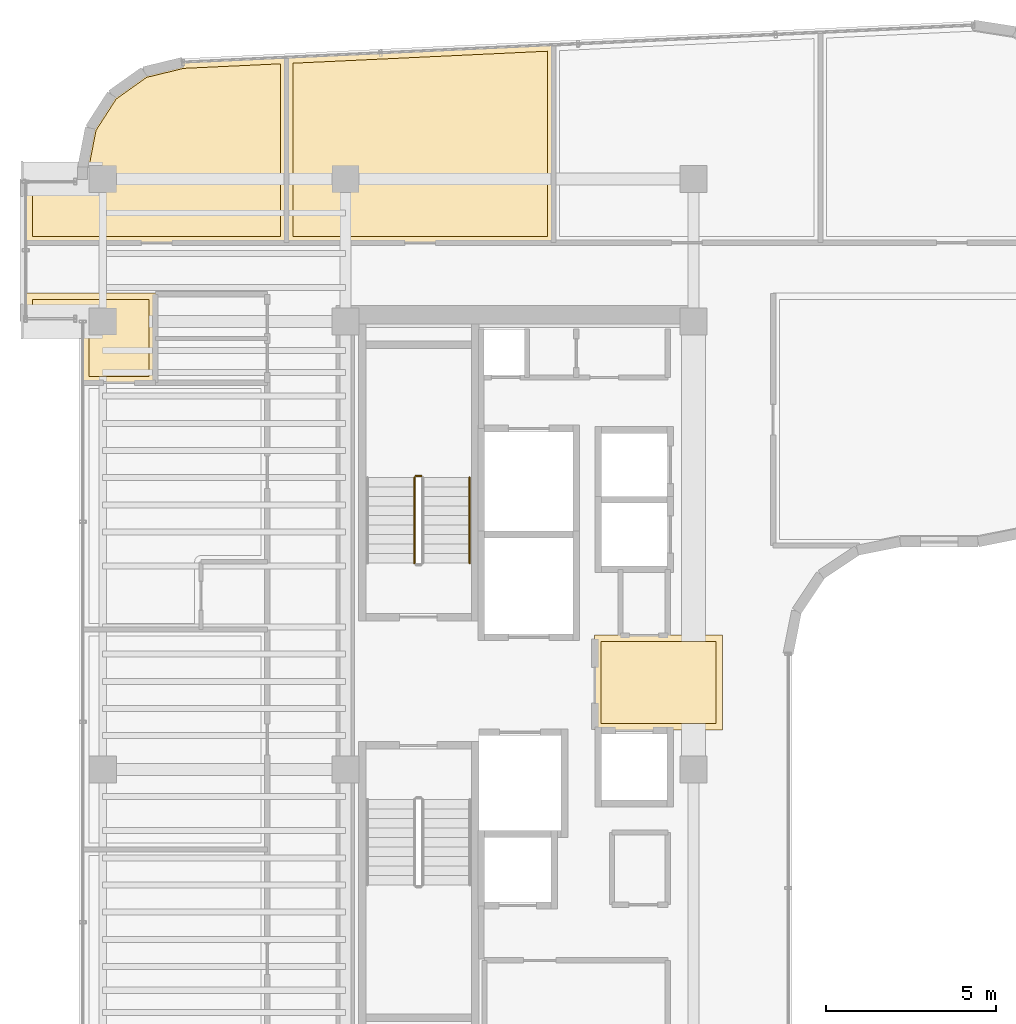
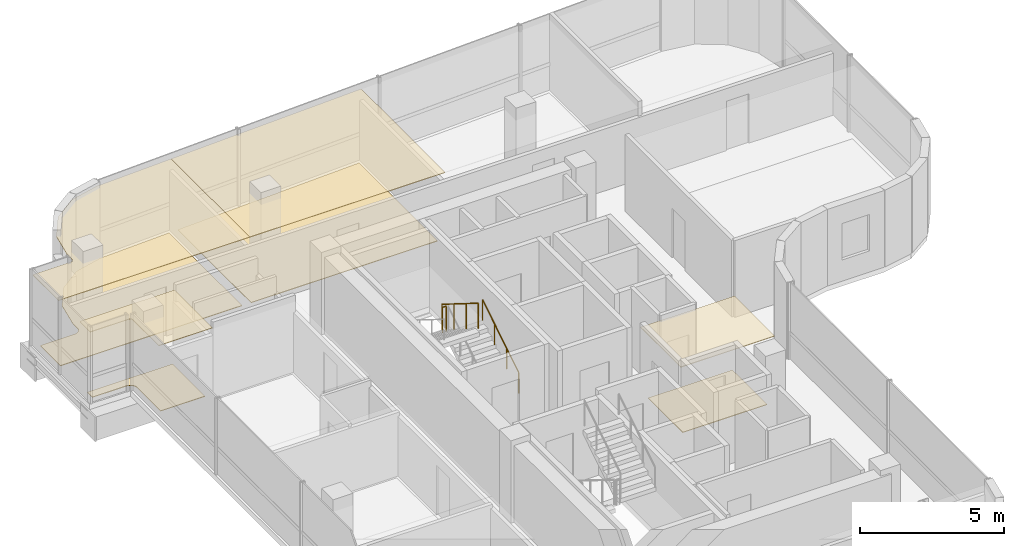
# One storey, part 20 of 21: 8 coverings, 3 railings.
"""IFC4 building model written with IfcOpenShell, lengths in metres."""

from ifc_helpers import new_model, si_unit, direction, frame, origin, origin_2d, place, context, subcontext, project, spatial, polyline, circle, outline, extrude, material, layer, layer_set, type_object, element, save


model = new_model("IFC4")

# Units and contexts
model_context = context("Model", 3, precision=1e-05, world=origin(), true_north=direction((0.0, 1.0)))
body_context = subcontext(model_context, "Body", "Model", "MODEL_VIEW")
ifc_project = project(units=[si_unit("LENGTHUNIT", "METRE"), si_unit("AREAUNIT", "SQUARE_METRE"), si_unit("VOLUMEUNIT", "CUBIC_METRE"), si_unit("PLANEANGLEUNIT", "RADIAN"), si_unit("MASSUNIT", "GRAM", prefix="KILO")], contexts=[model_context])

# Site, building, storey
site_placement = place(None, origin())
site = spatial("IfcSite", under=ifc_project, at=site_placement, CompositionType="ELEMENT")
building_placement = place(site_placement, origin())
building = spatial("IfcBuilding", under=site, at=building_placement, Name="Valdorenza Pilgrim Sanctuary Tower", CompositionType="ELEMENT")
storey_placement = place(building_placement, frame((0.0, 0.0, 254.5)))
storey = spatial("IfcBuildingStorey", under=building, at=storey_placement, Name="L66", CompositionType="ELEMENT", Elevation=254.5)

# Coverings
ifc_material_1 = material(Name="Micro-perforated acoustic mineral ceiling tile", Category="gypsum")
ifc_layer_1 = layer(ifc_material_1, 0.02490234375, Name="Micro-perforated acoustic mineral ceiling tile")
ifc_layer_set_1 = layer_set([ifc_layer_1], Name="Micro-perforated acoustic mineral ceiling tile")
covering_type_1 = type_object("IfcCoveringType", Name="COV-CLG-ACU", PredefinedType="CEILING", material=ifc_layer_set_1)
covering_1_placement = place(storey_placement, frame((0.0, 0.0, 2.9599609375)))
element("IfcCovering", 1, at=covering_1_placement, inside=storey, type_object=covering_type_1, Name="L66 Core A Passenger Lift Lobby Acoustic Ceiling", PredefinedType="CEILING", context=body_context, shape_type="SweptSolid", body=[
    extrude(outline(polyline([(-15.31494140625, 1.35009765625), (-15.31494140625, 1.3515625), (-15.314697265625, 1.352783203125), (-15.314453125, 1.3544921875), (-15.31396484375, 1.355712890625), (-15.313232421875, 1.357177734375), (-15.3125, 1.3583984375), (-15.3115234375, 1.359619140625), (-15.310546875, 1.360595703125), (-15.3095703125, 1.361572265625), (-15.308349609375, 1.362548828125), (-15.30712890625, 1.36328125), (-15.3056640625, 1.364013671875), (-15.304443359375, 1.364501953125), (-15.302978515625, 1.36474609375), (-15.301513671875, 1.364990234375), (-15.300048828125, 1.364990234375), (-11.550048828125, 1.364990234375), (-11.548583984375, 1.364990234375), (-11.547119140625, 1.36474609375), (-11.545654296875, 1.364501953125), (-11.544189453125, 1.364013671875), (-11.54296875, 1.36328125), (-11.541748046875, 1.362548828125), (-11.54052734375, 1.361572265625), (-11.539306640625, 1.360595703125), (-11.538330078125, 1.359619140625), (-11.53759765625, 1.3583984375), (-11.536865234375, 1.357177734375), (-11.5361328125, 1.355712890625), (-11.53564453125, 1.3544921875), (-11.535400390625, 1.352783203125), (-11.53515625, 1.3515625), (-11.534912109375, 1.35009765625), (-11.534912109375, -1.419921875), (-11.53515625, -1.42138671875), (-11.535400390625, -1.4228515625), (-11.53564453125, -1.42431640625), (-11.5361328125, -1.42578125), (-11.536865234375, -1.427001953125), (-11.53759765625, -1.42822265625), (-11.538330078125, -1.429443359375), (-11.539306640625, -1.4306640625), (-11.54052734375, -1.431640625), (-11.541748046875, -1.4326171875), (-11.54296875, -1.43310546875), (-11.544189453125, -1.433837890625), (-11.545654296875, -1.434326171875), (-11.547119140625, -1.434814453125), (-11.548583984375, -1.434814453125), (-11.550048828125, -1.43505859375), (-15.298095703125, -1.43505859375), (-15.299560546875, -1.434814453125), (-15.30078125, -1.434814453125), (-15.302490234375, -1.434326171875), (-15.3037109375, -1.433837890625), (-15.30517578125, -1.43310546875), (-15.306396484375, -1.4326171875), (-15.3076171875, -1.431640625), (-15.30859375, -1.4306640625), (-15.3095703125, -1.429443359375), (-15.310546875, -1.42822265625), (-15.311279296875, -1.427001953125), (-15.31201171875, -1.42578125), (-15.3125, -1.42431640625), (-15.312744140625, -1.4228515625), (-15.31298828125, -1.42138671875), (-15.31298828125, -1.419921875), (-15.31298828125, 1.244384765625), (-15.31298828125, 1.24462890625), (-15.313720703125, 1.24609375), (-15.314208984375, 1.24755859375), (-15.314697265625, 1.2490234375), (-15.31494140625, 1.25048828125), (-15.31494140625, 1.251953125), (-15.31494140625, 1.35009765625)])), origin(), (0.0, 0.0, 1.0), 0.025146484375),
])
covering_2_placement = place(storey_placement, frame((0.0, 0.0, 2.9599609375)))
element("IfcCovering", 2, at=covering_2_placement, inside=storey, type_object=covering_type_1, Name="L66 Pilgrim Scholar Office L66-WN Acoustic Ceiling", PredefinedType="CEILING", context=body_context, shape_type="SweptSolid", body=[
    extrude(outline(polyline([(-28.237060546875, 11.39453125), (-28.237060546875, 10.103759765625), (-28.23681640625, 10.10302734375), (-28.23681640625, 10.1015625), (-28.23681640625, 10.10009765625), (-28.23681640625, 10.098388671875), (-28.237060546875, 10.09814453125), (-28.237060546875, 8.800048828125), (-28.237060546875, 8.798583984375), (-28.2373046875, 8.797119140625), (-28.237548828125, 8.795654296875), (-28.238037109375, 8.794189453125), (-28.23876953125, 8.79296875), (-28.239501953125, 8.791748046875), (-28.240478515625, 8.79052734375), (-28.241455078125, 8.789306640625), (-28.242431640625, 8.788330078125), (-28.24365234375, 8.78759765625), (-28.244873046875, 8.786865234375), (-28.246337890625, 8.7861328125), (-28.24755859375, 8.78564453125), (-28.2490234375, 8.785400390625), (-28.25048828125, 8.78515625), (-28.251953125, 8.784912109375), (-30.389892578125, 8.784912109375), (-30.3916015625, 8.78515625), (-30.392822265625, 8.785400390625), (-30.394287109375, 8.78564453125), (-30.395751953125, 8.7861328125), (-30.397216796875, 8.786865234375), (-30.398193359375, 8.78759765625), (-30.3994140625, 8.788330078125), (-30.400634765625, 8.789306640625), (-30.401611328125, 8.79052734375), (-30.402587890625, 8.791748046875), (-30.4033203125, 8.79296875), (-30.40380859375, 8.794189453125), (-30.404296875, 8.795654296875), (-30.40478515625, 8.797119140625), (-30.40478515625, 8.798583984375), (-30.405029296875, 8.800048828125), (-30.405029296875, 10.599609375), (-30.405517578125, 10.609375), (-30.40673828125, 10.618408203125), (-30.4091796875, 10.627685546875), (-30.412109375, 10.63623046875), (-30.416259765625, 10.644775390625), (-30.4208984375, 10.65283203125), (-30.426513671875, 10.660400390625), (-30.432861328125, 10.667236328125), (-30.439697265625, 10.67333984375), (-30.447265625, 10.678955078125), (-30.455078125, 10.683837890625), (-30.463623046875, 10.687744140625), (-30.472412109375, 10.69091796875), (-30.4814453125, 10.693115234375), (-30.49072265625, 10.694580078125), (-30.50048828125, 10.695068359375), (-32.0400390625, 10.695068359375), (-32.04150390625, 10.695068359375), (-32.04296875, 10.6953125), (-32.04443359375, 10.695556640625), (-32.045654296875, 10.696044921875), (-32.047119140625, 10.69677734375), (-32.04833984375, 10.697509765625), (-32.049560546875, 10.698486328125), (-32.050537109375, 10.699462890625), (-32.051513671875, 10.700439453125), (-32.052490234375, 10.70166015625), (-32.05322265625, 10.702880859375), (-32.053955078125, 10.704345703125), (-32.054443359375, 10.70556640625), (-32.0546875, 10.70703125), (-32.054931640625, 10.70849609375), (-32.054931640625, 10.7099609375), (-32.054931640625, 11.419921875), (-32.054931640625, 11.42138671875), (-32.0546875, 11.4228515625), (-32.054443359375, 11.42431640625), (-32.053955078125, 11.42578125), (-32.05322265625, 11.427001953125), (-32.052490234375, 11.42822265625), (-32.051513671875, 11.429443359375), (-32.050537109375, 11.4306640625), (-32.049560546875, 11.431640625), (-32.04833984375, 11.4326171875), (-32.047119140625, 11.43310546875), (-32.045654296875, 11.433837890625), (-32.04443359375, 11.434326171875), (-32.04296875, 11.434814453125), (-32.04150390625, 11.434814453125), (-32.0400390625, 11.43505859375), (-28.25, 11.43505859375), (-28.24853515625, 11.434814453125), (-28.2470703125, 11.434814453125), (-28.24560546875, 11.434326171875), (-28.244384765625, 11.433837890625), (-28.242919921875, 11.43310546875), (-28.24169921875, 11.4326171875), (-28.240478515625, 11.431640625), (-28.239501953125, 11.4306640625), (-28.23828125, 11.429443359375), (-28.237548828125, 11.42822265625), (-28.23681640625, 11.427001953125), (-28.236083984375, 11.42578125), (-28.235595703125, 11.42431640625), (-28.2353515625, 11.4228515625), (-28.235107421875, 11.42138671875), (-28.235107421875, 11.419921875), (-28.235107421875, 11.402099609375), (-28.235107421875, 11.400390625), (-28.2353515625, 11.39892578125), (-28.235595703125, 11.3974609375), (-28.236083984375, 11.39599609375), (-28.23681640625, 11.394775390625), (-28.237060546875, 11.39453125)])), origin(), (0.0, 0.0, 1.0), 0.025146484375),
])
covering_3_placement = place(storey_placement, frame((0.0, 0.0, 2.9599609375)))
element("IfcCovering", 3, at=covering_3_placement, inside=storey, type_object=covering_type_1, Name="L66 Sanctuary Administration Office L66-N1 Acoustic Ceiling", PredefinedType="CEILING", context=body_context, shape_type="SweptSolid", body=[
    extrude(outline(polyline([(-32.0400390625, 12.905029296875), (-32.04150390625, 12.905029296875), (-32.04296875, 12.9052734375), (-32.04443359375, 12.905517578125), (-32.045654296875, 12.906005859375), (-32.047119140625, 12.90673828125), (-32.04833984375, 12.907470703125), (-32.049560546875, 12.908447265625), (-32.050537109375, 12.909423828125), (-32.051513671875, 12.910400390625), (-32.052490234375, 12.91162109375), (-32.05322265625, 12.912841796875), (-32.053955078125, 12.914306640625), (-32.054443359375, 12.91552734375), (-32.0546875, 12.9169921875), (-32.054931640625, 12.91845703125), (-32.054931640625, 12.919921875), (-32.054931640625, 14.68994140625), (-32.054931640625, 14.69140625), (-32.0546875, 14.69287109375), (-32.054443359375, 14.6943359375), (-32.053955078125, 14.69580078125), (-32.05322265625, 14.697021484375), (-32.052490234375, 14.6982421875), (-32.051513671875, 14.699462890625), (-32.050537109375, 14.70068359375), (-32.049560546875, 14.70166015625), (-32.04833984375, 14.702392578125), (-32.047119140625, 14.703125), (-32.045654296875, 14.703857421875), (-32.04443359375, 14.704345703125), (-32.04296875, 14.70458984375), (-32.04150390625, 14.704833984375), (-32.0400390625, 14.705078125), (-30.50048828125, 14.705078125), (-30.49072265625, 14.70556640625), (-30.4814453125, 14.706787109375), (-30.472412109375, 14.708984375), (-30.463623046875, 14.712158203125), (-30.455078125, 14.71630859375), (-30.447265625, 14.720947265625), (-30.439697265625, 14.7265625), (-30.432861328125, 14.73291015625), (-30.426513671875, 14.73974609375), (-30.4208984375, 14.747314453125), (-30.416259765625, 14.755126953125), (-30.412109375, 14.763671875), (-30.4091796875, 14.7724609375), (-30.40673828125, 14.781494140625), (-30.405517578125, 14.790771484375), (-30.405029296875, 14.80029296875), (-30.405029296875, 15.13671875), (-30.40478515625, 15.13818359375), (-30.40478515625, 15.1396484375), (-30.181396484375, 16.298095703125), (-30.180908203125, 16.299560546875), (-30.180419921875, 16.30078125), (-30.179931640625, 16.30224609375), (-30.17919921875, 16.303466796875), (-29.547119140625, 17.286865234375), (-29.546142578125, 17.2880859375), (-29.545166015625, 17.2890625), (-29.544189453125, 17.2900390625), (-29.54296875, 17.291015625), (-28.59033203125, 17.968994140625), (-28.589111328125, 17.9697265625), (-28.587890625, 17.97021484375), (-28.586669921875, 17.970947265625), (-28.585205078125, 17.97119140625), (-27.438720703125, 18.248779296875), (-27.437255859375, 18.249267578125), (-27.435791015625, 18.249267578125), (-24.380615234375, 18.393310546875), (-24.379150390625, 18.393310546875), (-24.377685546875, 18.393310546875), (-24.376220703125, 18.392822265625), (-24.374755859375, 18.392333984375), (-24.373291015625, 18.391845703125), (-24.3720703125, 18.39111328125), (-24.370849609375, 18.39013671875), (-24.36962890625, 18.38916015625), (-24.36865234375, 18.38818359375), (-24.36767578125, 18.386962890625), (-24.366943359375, 18.385498046875), (-24.3662109375, 18.38427734375), (-24.36572265625, 18.3828125), (-24.365234375, 18.38134765625), (-24.364990234375, 18.3798828125), (-24.364990234375, 18.37841796875), (-24.364990234375, 12.919921875), (-24.364990234375, 12.91845703125), (-24.365234375, 12.9169921875), (-24.365478515625, 12.91552734375), (-24.3662109375, 12.914306640625), (-24.36669921875, 12.912841796875), (-24.367431640625, 12.91162109375), (-24.368408203125, 12.910400390625), (-24.369384765625, 12.909423828125), (-24.37060546875, 12.908447265625), (-24.37158203125, 12.907470703125), (-24.372802734375, 12.90673828125), (-24.374267578125, 12.906005859375), (-24.37548828125, 12.905517578125), (-24.377197265625, 12.9052734375), (-24.37841796875, 12.905029296875), (-24.3798828125, 12.905029296875), (-32.0400390625, 12.905029296875)])), origin(), (0.0, 0.0, 1.0), 0.025146484375),
])
covering_4_placement = place(storey_placement, frame((0.0, 0.0, 2.9599609375)))
element("IfcCovering", 4, at=covering_4_placement, inside=storey, type_object=covering_type_1, Name="L66 Sanctuary Administration Office L66-N2 Acoustic Ceiling", PredefinedType="CEILING", context=body_context, shape_type="SweptSolid", body=[
    extrude(outline(polyline([(-24.39306640625, 18.37841796875), (-24.39306640625, 18.379150390625), (-24.392822265625, 18.380615234375), (-24.392578125, 18.382080078125), (-24.39208984375, 18.383544921875), (-24.3916015625, 18.384765625), (-24.390869140625, 18.385986328125), (-24.39013671875, 18.387451171875), (-24.38916015625, 18.388427734375), (-24.38818359375, 18.389404296875), (-24.386962890625, 18.390380859375), (-24.3857421875, 18.391357421875), (-24.384521484375, 18.39208984375), (-24.383056640625, 18.392578125), (-24.381591796875, 18.39306640625), (-24.380126953125, 18.393310546875), (-24.378662109375, 18.393310546875), (-16.520751953125, 18.763916015625), (-16.519287109375, 18.763916015625), (-16.517578125, 18.763671875), (-16.51611328125, 18.763427734375), (-16.514892578125, 18.762939453125), (-16.513427734375, 18.76220703125), (-16.511962890625, 18.76171875), (-16.5107421875, 18.7607421875), (-16.509521484375, 18.759765625), (-16.508544921875, 18.758544921875), (-16.5078125, 18.75732421875), (-16.5068359375, 18.756103515625), (-16.506103515625, 18.7548828125), (-16.505615234375, 18.75341796875), (-16.50537109375, 18.751953125), (-16.505126953125, 18.75048828125), (-16.5048828125, 18.748779296875), (-16.5048828125, 12.919921875), (-16.505126953125, 12.91845703125), (-16.50537109375, 12.9169921875), (-16.505615234375, 12.91552734375), (-16.506103515625, 12.914306640625), (-16.5068359375, 12.912841796875), (-16.507568359375, 12.91162109375), (-16.50830078125, 12.910400390625), (-16.509521484375, 12.909423828125), (-16.510498046875, 12.908447265625), (-16.51171875, 12.907470703125), (-16.512939453125, 12.90673828125), (-16.514404296875, 12.906005859375), (-16.515625, 12.905517578125), (-16.51708984375, 12.9052734375), (-16.5185546875, 12.905029296875), (-16.52001953125, 12.905029296875), (-24.3779296875, 12.905029296875), (-24.37939453125, 12.905029296875), (-24.380859375, 12.9052734375), (-24.38232421875, 12.905517578125), (-24.3837890625, 12.906005859375), (-24.385009765625, 12.90673828125), (-24.38623046875, 12.907470703125), (-24.387451171875, 12.908447265625), (-24.388671875, 12.909423828125), (-24.3896484375, 12.910400390625), (-24.390380859375, 12.91162109375), (-24.39111328125, 12.912841796875), (-24.391845703125, 12.914306640625), (-24.392333984375, 12.91552734375), (-24.392578125, 12.9169921875), (-24.392822265625, 12.91845703125), (-24.39306640625, 12.919921875), (-24.39306640625, 18.37841796875), (-24.39306640625, 18.37841796875)])), origin(), (0.0, 0.0, 1.0), 0.025146484375),
])
ifc_material_2 = material(Name="Honed travertine stone flooring", Category="masonry")
ifc_layer_2 = layer(ifc_material_2, 0.030029296875, Name="Honed travertine stone flooring")
ifc_layer_set_2 = layer_set([ifc_layer_2], Name="Honed travertine stone flooring")
covering_type_2 = type_object("IfcCoveringType", Name="COV-FLR-TRV", PredefinedType="FLOORING", material=ifc_layer_set_2)
covering_5_placement = place(storey_placement, origin())
element("IfcCovering", 5, at=covering_5_placement, inside=storey, type_object=covering_type_2, Name="L66 Core A Passenger Lift Lobby Flooring", PredefinedType="FLOORING", context=body_context, shape_type="SweptSolid", body=[
    extrude(outline(polyline([(-15.117919921875, 1.169921875), (-11.72998046875, 1.169921875), (-11.72998046875, -1.239990234375), (-15.117919921875, -1.239990234375), (-15.117919921875, 1.169921875)])), origin(), (0.0, 0.0, 1.0), 0.02490234375),
])
covering_6_placement = place(storey_placement, origin())
element("IfcCovering", 6, at=covering_6_placement, inside=storey, type_object=covering_type_2, Name="L66 Pilgrim Scholar Office L66-WN Flooring", PredefinedType="FLOORING", context=body_context, shape_type="SweptSolid", body=[
    extrude(outline(polyline([(-28.431884765625, 11.239990234375), (-28.431884765625, 10.10205078125), (-28.431884765625, 10.10107421875), (-28.431884765625, 10.100341796875), (-28.431884765625, 10.10009765625), (-28.431884765625, 8.97998046875), (-30.2099609375, 8.97998046875), (-30.2099609375, 10.60009765625), (-30.210205078125, 10.60888671875), (-30.210693359375, 10.61962890625), (-30.21240234375, 10.63720703125), (-30.214111328125, 10.64794921875), (-30.217529296875, 10.665283203125), (-30.22021484375, 10.67578125), (-30.225341796875, 10.692626953125), (-30.22900390625, 10.70263671875), (-30.235595703125, 10.718994140625), (-30.240234375, 10.728759765625), (-30.24853515625, 10.744384765625), (-30.254150390625, 10.753662109375), (-30.263916015625, 10.768310546875), (-30.2705078125, 10.777099609375), (-30.281494140625, 10.790771484375), (-30.288818359375, 10.798583984375), (-30.30126953125, 10.811279296875), (-30.309326171875, 10.818359375), (-30.322998046875, 10.82958984375), (-30.331787109375, 10.8359375), (-30.34619140625, 10.845947265625), (-30.355712890625, 10.851318359375), (-30.37109375, 10.859619140625), (-30.380859375, 10.8642578125), (-30.397216796875, 10.87109375), (-30.407470703125, 10.874755859375), (-30.42431640625, 10.8798828125), (-30.434814453125, 10.882568359375), (-30.4521484375, 10.885986328125), (-30.462890625, 10.887451171875), (-30.48046875, 10.889404296875), (-30.4912109375, 10.889892578125), (-30.5, 10.889892578125), (-31.860107421875, 10.889892578125), (-31.860107421875, 11.239990234375), (-28.431884765625, 11.239990234375)])), origin(), (0.0, 0.0, 1.0), 0.02490234375),
])
covering_7_placement = place(storey_placement, origin())
element("IfcCovering", 7, at=covering_7_placement, inside=storey, type_object=covering_type_2, Name="L66 Sanctuary Administration Office L66-N1 Flooring", PredefinedType="FLOORING", context=body_context, shape_type="SweptSolid", body=[
    extrude(outline(polyline([(-31.860107421875, 13.10009765625), (-31.860107421875, 14.510009765625), (-30.5, 14.510009765625), (-30.4912109375, 14.51025390625), (-30.48046875, 14.5107421875), (-30.462890625, 14.512451171875), (-30.4521484375, 14.51416015625), (-30.434814453125, 14.517578125), (-30.42431640625, 14.52001953125), (-30.407470703125, 14.525390625), (-30.397216796875, 14.52880859375), (-30.380859375, 14.53564453125), (-30.37109375, 14.540283203125), (-30.355712890625, 14.548583984375), (-30.34619140625, 14.55419921875), (-30.331787109375, 14.56396484375), (-30.322998046875, 14.5703125), (-30.309326171875, 14.58154296875), (-30.30126953125, 14.5888671875), (-30.288818359375, 14.601318359375), (-30.281494140625, 14.609375), (-30.2705078125, 14.623046875), (-30.263916015625, 14.631591796875), (-30.254150390625, 14.646240234375), (-30.24853515625, 14.655517578125), (-30.240234375, 14.671142578125), (-30.235595703125, 14.680908203125), (-30.22900390625, 14.697265625), (-30.225341796875, 14.70751953125), (-30.22021484375, 14.724365234375), (-30.217529296875, 14.73486328125), (-30.214111328125, 14.752197265625), (-30.21240234375, 14.7626953125), (-30.210693359375, 14.780517578125), (-30.210205078125, 14.791259765625), (-30.2099609375, 14.800048828125), (-30.2099609375, 15.11962890625), (-29.996337890625, 16.227294921875), (-29.401611328125, 17.152099609375), (-28.505615234375, 17.789794921875), (-27.409423828125, 18.055419921875), (-24.56005859375, 18.189697265625), (-24.56005859375, 13.10009765625), (-31.860107421875, 13.10009765625)])), origin(), (0.0, 0.0, 1.0), 0.02490234375),
])
covering_8_placement = place(storey_placement, origin())
element("IfcCovering", 8, at=covering_8_placement, inside=storey, type_object=covering_type_2, Name="L66 Sanctuary Administration Office L66-N2 Flooring", PredefinedType="FLOORING", context=body_context, shape_type="SweptSolid", body=[
    extrude(outline(polyline([(-24.197998046875, 13.10009765625), (-24.197998046875, 18.20654296875), (-16.699951171875, 18.560302734375), (-16.699951171875, 13.10009765625), (-24.197998046875, 13.10009765625)])), origin(), (0.0, 0.0, 1.0), 0.02490234375),
])

# Railings
ifc_material_3 = material(Name="Stainless steel Grade 316", Category="steel")
railing_type_1 = type_object("IfcRailingType", Name="RLG-GRD-1120", PredefinedType="GUARDRAIL", material=ifc_material_3)
railing_1_placement = place(storey_placement, frame((-20.419921875, 6.050048828125, 1.75)))
element("IfcRailing", 9, at=railing_1_placement, inside=storey, type_object=railing_type_1, Name="L66 ST-A1 stair guard 2", PredefinedType="GUARDRAIL", context=body_context, shape_type="SweptSolid", body=[
    extrude(circle(Radius=0.02392578125, at=origin_2d()), frame((0.0, 0.0, 1.076171875), z_axis=(-1.0, 0.0, 0.0), x_axis=(0.0, -1.0, 0.0)), (0.0, 0.0, 1.0), 0.150146484375),
    extrude(circle(Radius=0.02099609375, at=origin_2d()), origin(), (0.0, 0.0, 1.0), 1.052001953125),
    extrude(circle(Radius=0.02099609375, at=origin_2d()), frame((-0.150146484375, 0.0, 0.0)), (0.0, 0.0, 1.0), 1.052001953125),
])
railing_2_placement = place(storey_placement, frame((-20.6201171875, 6.0, 1.925048828125)))
element("IfcRailing", 10, at=railing_2_placement, inside=storey, type_object=railing_type_1, Name="L66 ST-A1 stair guard 3", PredefinedType="GUARDRAIL", context=body_context, shape_type="SweptSolid", body=[
    extrude(circle(Radius=0.02392578125, at=origin_2d()), frame((0.0, 0.0, 1.076171875), z_axis=(0.0, -0.848007534815, 0.529984170421), x_axis=(1.0, 0.0, 0.0)), (0.0, 0.0, 1.0), 2.9716796875),
    extrude(circle(Radius=0.02099609375, at=origin_2d()), origin(), (0.0, 0.0, 1.0), 1.052001953125),
    extrude(circle(Radius=0.02099609375, at=origin_2d()), frame((0.0, -0.840087890625, 0.52490234375)), (0.0, 0.0, 1.0), 1.052001953125),
    extrude(circle(Radius=0.02099609375, at=origin_2d()), frame((0.0, -1.679931640625, 1.050048828125)), (0.0, 0.0, 1.0), 1.052001953125),
    extrude(circle(Radius=0.02099609375, at=origin_2d()), frame((0.0, -2.52001953125, 1.574951171875)), (0.0, 0.0, 1.0), 1.052001953125),
])
ifc_material_4 = material(Name="Brushed stainless steel Grade 316", Category="steel")
railing_type_2 = type_object("IfcRailingType", Name="RLG-HND-920", PredefinedType="HANDRAIL", material=ifc_material_4)
railing_3_placement = place(storey_placement, frame((-18.989990234375, 3.47998046875, 0.175048828125)))
element("IfcRailing", 11, at=railing_3_placement, inside=storey, type_object=railing_type_2, Name="L66 ST-A1 stair handrail 1", PredefinedType="HANDRAIL", context=body_context, shape_type="SweptSolid", body=[
    extrude(circle(Radius=0.02392578125, at=origin_2d()), frame((0.0, 0.0, 0.8759765625), z_axis=(0.0, 0.848007534815, 0.529984170421), x_axis=(-1.0, 0.0, 0.0)), (0.0, 0.0, 1.0), 2.9716796875),
    extrude(circle(Radius=0.02099609375, at=origin_2d()), origin(), (0.0, 0.0, 1.0), 0.851806640625),
    extrude(circle(Radius=0.02099609375, at=origin_2d()), frame((0.0, 0.840087890625, 0.52490234375)), (0.0, 0.0, 1.0), 0.851806640625),
    extrude(circle(Radius=0.02099609375, at=origin_2d()), frame((0.0, 1.679931640625, 1.050048828125)), (0.0, 0.0, 1.0), 0.851806640625),
    extrude(circle(Radius=0.02099609375, at=origin_2d()), frame((0.0, 2.52001953125, 1.574951171875)), (0.0, 0.0, 1.0), 0.851806640625),
])

save(model, "model.ifc")
